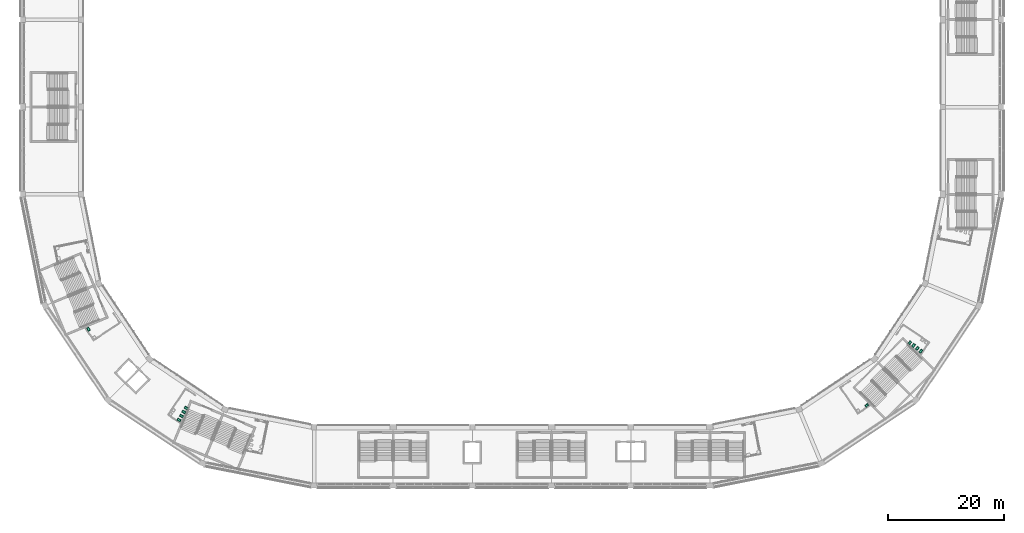
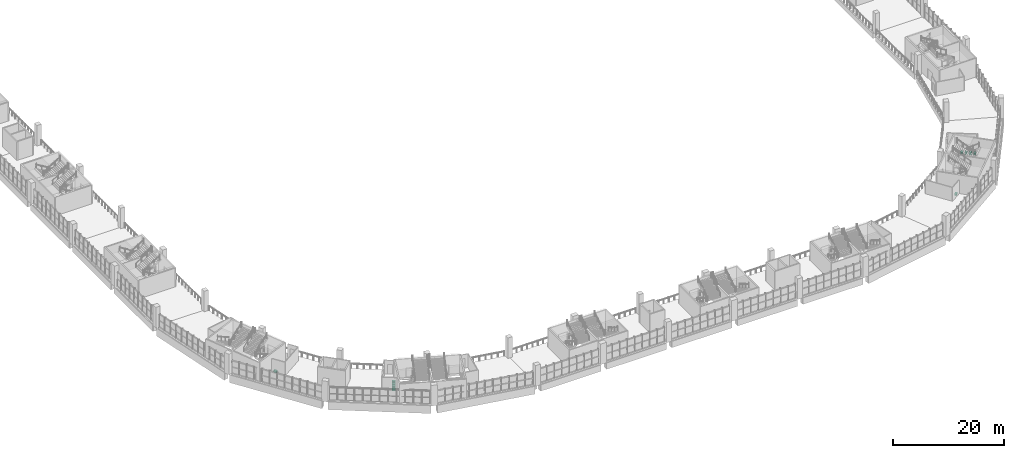
# One storey, part 172 of 177: 10 sanitary terminals.
"""IFC4 building model written with IfcOpenShell, lengths in metres."""

from ifc_helpers import new_model, si_unit, direction, frame, origin, origin_2d, place, context, subcontext, project, spatial, rectangle, extrude, material, type_object, element, save


model = new_model("IFC4")

# Units and contexts
model_context = context("Model", 3, precision=1e-05, world=origin(), true_north=direction((0.0, 1.0)))
body_context = subcontext(model_context, "Body", "Model", "MODEL_VIEW")
ifc_project = project(units=[si_unit("LENGTHUNIT", "METRE"), si_unit("AREAUNIT", "SQUARE_METRE"), si_unit("VOLUMEUNIT", "CUBIC_METRE"), si_unit("PLANEANGLEUNIT", "RADIAN"), si_unit("MASSUNIT", "GRAM", prefix="KILO")], contexts=[model_context])

# Site, building, storey
site_placement = place(None, origin())
site = spatial("IfcSite", under=ifc_project, at=site_placement, CompositionType="ELEMENT")
building_placement = place(site_placement, origin())
building = spatial("IfcBuilding", under=site, at=building_placement, Name="Ogive Plaza Stadium", CompositionType="ELEMENT")
storey_placement = place(building_placement, frame((0.0, 0.0, 18.0)))
storey = spatial("IfcBuildingStorey", under=building, at=storey_placement, Name="L04", CompositionType="ELEMENT", Elevation=18.0)

# Sanitary terminals
ifc_material = material(Name="Vitreous china", Category="ceramic")
sanitary_terminal_type = type_object("IfcSanitaryTerminalType", Name="Water closet", PredefinedType="TOILETPAN", material=ifc_material)
for number, where, z_axis, x_axis, name in (
    (1, (70.249267578125, -79.4345703125, 0.0), (0.0, 0.0, 1.0), (-0.798695376921, 0.601735568905, 0.0), "Water closet L04-002"),
    (2, (69.6103515625, -78.953125, 0.0), (0.0, 0.0, 1.0), (-0.798695376921, 0.601735568905, 0.0), "Water closet L04-002"),
    (3, (68.97119140625, -78.4716796875, 0.0), (0.0, 0.0, 1.0), (-0.798695376921, 0.601735568905, 0.0), "Water closet L04-002"),
    (4, (68.33251953125, -77.990478515625, 0.0), (0.0, 0.0, 1.0), (-0.798695376921, 0.601735568905, 0.0), "Water closet L04-002"),
    (5, (-57.1826171875, -91.25634765625, 0.0), (0.0, 0.0, 1.0), (0.507624078564, 0.861578664349, 0.0), "Water closet L04-006"),
    (6, (-56.776611328125, -90.56689453125, 0.0), (0.0, 0.0, 1.0), (0.507624078564, 0.861578664349, 0.0), "Water closet L04-006"),
    (7, (-56.370361328125, -89.877685546875, 0.0), (0.0, 0.0, 1.0), (0.507624078564, 0.861578664349, 0.0), "Water closet L04-006"),
    (8, (-55.96435546875, -89.1884765625, 0.0), (0.0, 0.0, 1.0), (0.507624078564, 0.861578664349, 0.0), "Water closet L04-006"),
    (9, (60.9345703125, -88.749267578125, 0.0), (0.0, 0.0, 1.0), (-0.601735568905, 0.798695376921, 0.0), "Water closet L04-003"),
    (10, (-72.75634765625, -75.6826171875, 0.0), (0.0, 0.0, 1.0), (0.861578664349, 0.507624078564, 0.0), "Water closet L04-007"),
):
    element("IfcSanitaryTerminal", number, at=place(storey_placement, frame(where, z_axis=z_axis, x_axis=x_axis)), inside=storey, type_object=sanitary_terminal_type, Name=name, PredefinedType="TOILETPAN", context=body_context, shape_type="SweptSolid", body=[
        extrude(rectangle(XDim=0.39990234375, YDim=0.60009765625, at=origin_2d()), origin(), (0.0, 0.0, 1.0), 0.39990234375),
    ])

save(model, "model.ifc")
